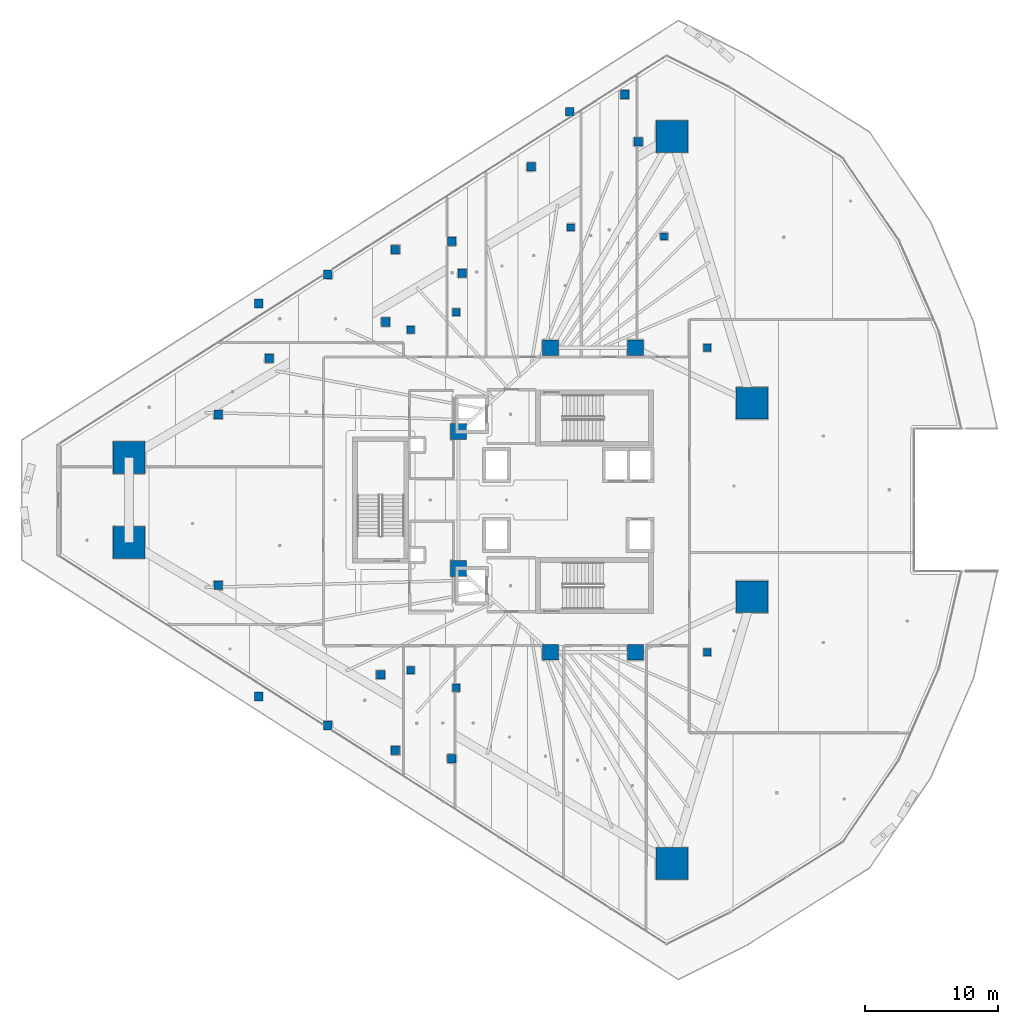
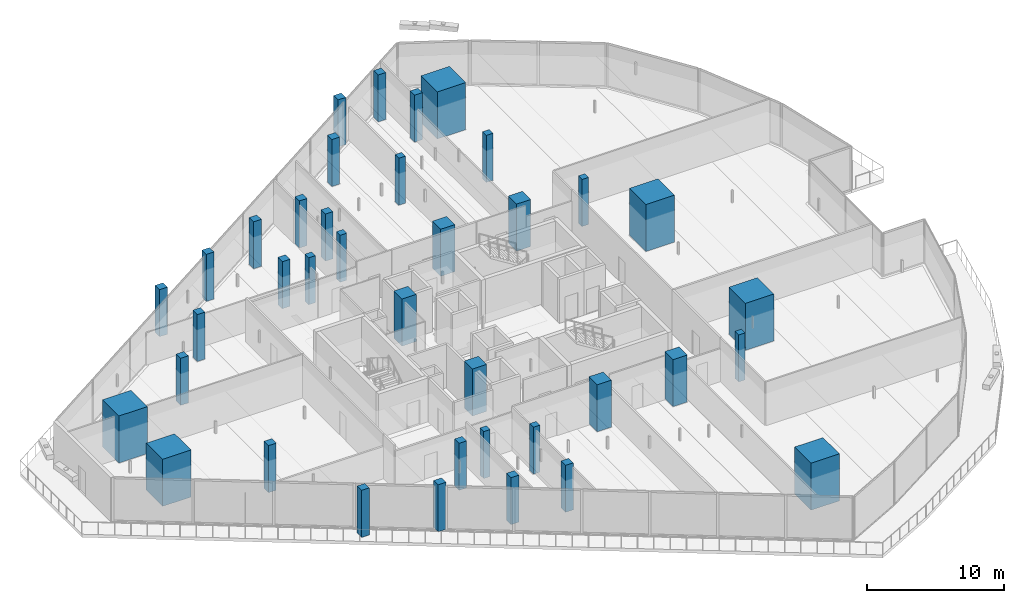
# One storey, part 1 of 44: 38 columns.
"""IFC4 building model written with IfcOpenShell, lengths in metres."""

from ifc_helpers import new_model, si_unit, direction, frame, origin, origin_2d, place, context, subcontext, project, spatial, rectangle, extrude, material, material_profile, profile_set, type_object, element, save


model = new_model("IFC4")

# Units and contexts
model_context = context("Model", 3, precision=1e-05, world=origin(), true_north=direction((0.0, 1.0)))
body_context = subcontext(model_context, "Body", "Model", "MODEL_VIEW")
ifc_project = project(units=[si_unit("LENGTHUNIT", "METRE"), si_unit("AREAUNIT", "SQUARE_METRE"), si_unit("VOLUMEUNIT", "CUBIC_METRE"), si_unit("PLANEANGLEUNIT", "RADIAN"), si_unit("MASSUNIT", "GRAM", prefix="KILO")], contexts=[model_context])

# Site, building, storey
site_placement = place(None, origin())
site = spatial("IfcSite", under=ifc_project, at=site_placement, CompositionType="ELEMENT")
building_placement = place(site_placement, origin())
building = spatial("IfcBuilding", under=site, at=building_placement, Name="Qorvath Tower", CompositionType="ELEMENT")
storey_placement = place(building_placement, frame((0.0, 0.0, 45.0)))
storey = spatial("IfcBuildingStorey", under=building, at=storey_placement, Name="L09", CompositionType="ELEMENT", Elevation=45.0)

# Columns
ifc_material_1 = material(Name="Concrete C70/85", Category="concrete")
ifc_material_profile_1 = material_profile(ifc_material_1, rectangle(XDim=2.39990234375, YDim=2.39990234375, at=origin_2d()), Name="MC 2400x2400")
ifc_profile_set_1 = profile_set([ifc_material_profile_1], Name="Concrete C70/85")
column_type_1 = type_object("IfcColumnType", Name="COL-MC1", PredefinedType="COLUMN", material=ifc_profile_set_1)
for number, where, z_axis, x_axis, name in (
    (1, (-55.282958984375, 3.194580078125, 0.0), (0.0, 0.0, 1.0), (1.0, 0.0, 0.0), "Composite Mega-Column MC1 L09"),
    (2, (-55.282958984375, -3.194580078125, 0.0), (0.0, 0.0, 1.0), (1.0, 0.0, 0.0), "Composite Mega-Column MC2 L09"),
    (3, (-14.46435546875, -27.330810546875, 0.0), (0.0, 0.0, 1.0), (1.0, 0.0, 0.0), "Composite Mega-Column MC3 L09"),
    (4, (-8.430419921875, -7.2763671875, 0.0), (0.0, 0.0, 1.0), (1.0, 0.0, 0.0), "Composite Mega-Column MC4 L09"),
    (5, (-8.430419921875, 7.2763671875, 0.0), (0.0, 0.0, 1.0), (1.0, 0.0, 0.0), "Composite Mega-Column MC5 L09"),
    (6, (-14.46435546875, 27.330810546875, 0.0), (0.0, 0.0, 1.0), (1.0, 0.0, 0.0), "Composite Mega-Column MC6 L09"),
):
    element("IfcColumn", number, at=place(storey_placement, frame(where, z_axis=z_axis, x_axis=x_axis)), inside=storey, type_object=column_type_1, Name=name, PredefinedType="COLUMN", context=body_context, shape_type="SweptSolid", body=[
        extrude(rectangle(XDim=2.39990234375, YDim=2.39990234375, at=origin_2d()), origin(), (0.0, 0.0, 1.0), 4.199951171875),
    ])
ifc_material_2 = material(Name="Concrete C60/75", Category="concrete")
ifc_material_profile_2 = material_profile(ifc_material_2, rectangle(XDim=1.199951171875, YDim=1.199951171875, at=origin_2d()), Name="RC 1200x1200")
ifc_profile_set_2 = profile_set([ifc_material_profile_2], Name="Concrete C60/75")
column_type_2 = type_object("IfcColumnType", Name="COL-RC1", PredefinedType="COLUMN", material=ifc_profile_set_2)
for number, where, z_axis, x_axis, name in (
    (7, (-23.60009765625, 11.449951171875, 0.0), (0.0, 0.0, 1.0), (1.0, 0.0, 0.0), "Core Spine Column CC1 L09"),
    (8, (-17.199951171875, 11.449951171875, 0.0), (0.0, 0.0, 1.0), (1.0, 0.0, 0.0), "Core Spine Column CC2 L09"),
    (9, (-17.199951171875, -11.449951171875, 0.0), (0.0, 0.0, 1.0), (1.0, 0.0, 0.0), "Core Spine Column CC3 L09"),
    (10, (-23.60009765625, -11.449951171875, 0.0), (0.0, 0.0, 1.0), (1.0, 0.0, 0.0), "Core Spine Column CC4 L09"),
    (11, (-30.5, 5.14990234375, 0.0), (0.0, 0.0, 1.0), (1.0, 0.0, 0.0), "Core Spine Column CC5 L09"),
    (12, (-30.5, -5.14990234375, 0.0), (0.0, 0.0, 1.0), (1.0, 0.0, 0.0), "Core Spine Column CC6 L09"),
):
    element("IfcColumn", number, at=place(storey_placement, frame(where, z_axis=z_axis, x_axis=x_axis)), inside=storey, type_object=column_type_2, Name=name, PredefinedType="COLUMN", context=body_context, shape_type="SweptSolid", body=[
        extrude(rectangle(XDim=1.199951171875, YDim=1.199951171875, at=origin_2d()), origin(), (0.0, 0.0, 1.0), 4.199951171875),
    ])
ifc_material_3 = material(Name="Concrete C45/55", Category="concrete")
ifc_material_profile_3 = material_profile(ifc_material_3, rectangle(XDim=0.64990234375, YDim=0.64990234375, at=origin_2d()), Name="RC 650x650")
ifc_profile_set_3 = profile_set([ifc_material_profile_3], Name="Concrete C45/55")
column_type_3 = type_object("IfcColumnType", Name="COL-RC6", PredefinedType="COLUMN", material=ifc_profile_set_3)
for number, where, z_axis, x_axis, name in (
    (13, (-45.536376953125, 14.774658203125, 0.0), (0.0, 0.0, 1.0), (1.0, 0.0, 0.0), "Loggia Frame Pier Column LGA1 L09"),
    (14, (-45.536376953125, -14.774658203125, 0.0), (0.0, 0.0, 1.0), (1.0, 0.0, 0.0), "Loggia Frame Pier Column LGA2 L09"),
    (15, (-22.13134765625, 29.20556640625, 0.0), (0.0, 0.0, 1.0), (1.0, 0.0, 0.0), "Loggia Frame Pier Column LGA3 L09"),
    (16, (-40.33251953125, 16.955810546875, 0.0), (0.0, 0.0, 1.0), (1.0, 0.0, 0.0), "Loggia Frame Pier Column LGB1 L09"),
    (17, (-40.33251953125, -16.955810546875, 0.0), (0.0, 0.0, 1.0), (1.0, 0.0, 0.0), "Loggia Frame Pier Column LGB2 L09"),
    (18, (-18.0, 30.5, 0.0), (0.0, 0.0, 1.0), (1.0, 0.0, 0.0), "Loggia Frame Pier Column LGB3 L09"),
    (19, (-35.251708984375, 18.829345703125, 0.0), (0.0, 0.0, 1.0), (1.0, 0.0, 0.0), "Loggia Frame Pier Column LGC1 L09"),
    (20, (-35.251708984375, -18.829345703125, 0.0), (0.0, 0.0, 1.0), (1.0, 0.0, 0.0), "Loggia Frame Pier Column LGC2 L09"),
    (21, (-25.03759765625, 25.058837890625, 0.0), (0.0, 0.0, 1.0), (1.0, 0.0, 0.0), "Loggia Frame Pier Column LGC3 L09"),
    (22, (-31.01611328125, 19.46044921875, 0.0), (0.0, 0.0, 1.0), (1.0, 0.0, 0.0), "Loggia Frame Pier Column LGD1 L09"),
    (23, (-31.01611328125, -19.46044921875, 0.0), (0.0, 0.0, 1.0), (1.0, 0.0, 0.0), "Loggia Frame Pier Column LGD2 L09"),
    (24, (-44.736328125, 10.65234375, 0.0), (0.0, 0.0, 1.0), (1.0, 0.0, 0.0), "Loggia Frame Pier Column LGD3 L09"),
    (25, (-48.578369140625, 6.424560546875, 0.0), (0.0, 0.0, 1.0), (1.0, 0.0, 0.0), "Loggia Frame Pier Column LGE1 L09"),
    (26, (-48.578369140625, -6.424560546875, 0.0), (0.0, 0.0, 1.0), (1.0, 0.0, 0.0), "Loggia Frame Pier Column LGE2 L09"),
    (27, (-16.981201171875, 26.92919921875, 0.0), (0.0, 0.0, 1.0), (1.0, 0.0, 0.0), "Loggia Frame Pier Column LGE3 L09"),
    (28, (-35.980712890625, 13.380859375, 0.0), (0.0, 0.0, 1.0), (1.0, 0.0, 0.0), "Loggia Frame Pier Column LGF1 L09"),
    (29, (-36.36474609375, -13.135498046875, 0.0), (0.0, 0.0, 1.0), (1.0, 0.0, 0.0), "Loggia Frame Pier Column LGF2 L09"),
    (30, (-30.224853515625, 17.0595703125, 0.0), (0.0, 0.0, 1.0), (1.0, 0.0, 0.0), "Loggia Frame Pier Column LGF3 L09"),
):
    element("IfcColumn", number, at=place(storey_placement, frame(where, z_axis=z_axis, x_axis=x_axis)), inside=storey, type_object=column_type_3, Name=name, PredefinedType="COLUMN", context=body_context, shape_type="SweptSolid", body=[
        extrude(rectangle(XDim=0.64990234375, YDim=0.64990234375, at=origin_2d()), origin(), (0.0, 0.0, 1.0), 4.199951171875),
    ])
ifc_material_4 = material(Name="Concrete C45/55", Category="concrete")
ifc_material_profile_4 = material_profile(ifc_material_4, rectangle(XDim=0.550048828125, YDim=0.550048828125, at=origin_2d()), Name="RC 550x550")
ifc_profile_set_4 = profile_set([ifc_material_profile_4], Name="Concrete C45/55")
column_type_4 = type_object("IfcColumnType", Name="COL-RC7", PredefinedType="COLUMN", material=ifc_profile_set_4)
for number, where, z_axis, x_axis, name in (
    (31, (-34.104248046875, 12.79248046875, 0.0), (0.0, 0.0, 1.0), (1.0, 0.0, 0.0), "Loggia Frame Pier Column LGG1 L09"),
    (32, (-34.104248046875, -12.79248046875, 0.0), (0.0, 0.0, 1.0), (1.0, 0.0, 0.0), "Loggia Frame Pier Column LGG2 L09"),
    (33, (-22.05322265625, 20.494873046875, 0.0), (0.0, 0.0, 1.0), (1.0, 0.0, 0.0), "Loggia Frame Pier Column LGG3 L09"),
    (34, (-30.67724609375, 14.124267578125, 0.0), (0.0, 0.0, 1.0), (1.0, 0.0, 0.0), "Loggia Frame Pier Column LGH1 L09"),
    (35, (-30.67724609375, -14.124267578125, 0.0), (0.0, 0.0, 1.0), (1.0, 0.0, 0.0), "Loggia Frame Pier Column LGH2 L09"),
    (36, (-15.046142578125, 19.818115234375, 0.0), (0.0, 0.0, 1.0), (1.0, 0.0, 0.0), "Loggia Frame Pier Column LGH3 L09"),
    (37, (-11.800048828125, -11.449951171875, 0.0), (0.0, 0.0, 1.0), (1.0, 0.0, 0.0), "Central Slot Jamb Column SC1 L09"),
    (38, (-11.800048828125, 11.449951171875, 0.0), (0.0, 0.0, 1.0), (1.0, 0.0, 0.0), "Central Slot Jamb Column SC2 L09"),
):
    element("IfcColumn", number, at=place(storey_placement, frame(where, z_axis=z_axis, x_axis=x_axis)), inside=storey, type_object=column_type_4, Name=name, PredefinedType="COLUMN", context=body_context, shape_type="SweptSolid", body=[
        extrude(rectangle(XDim=0.550048828125, YDim=0.550048828125, at=origin_2d()), origin(), (0.0, 0.0, 1.0), 4.199951171875),
    ])

save(model, "model.ifc")
